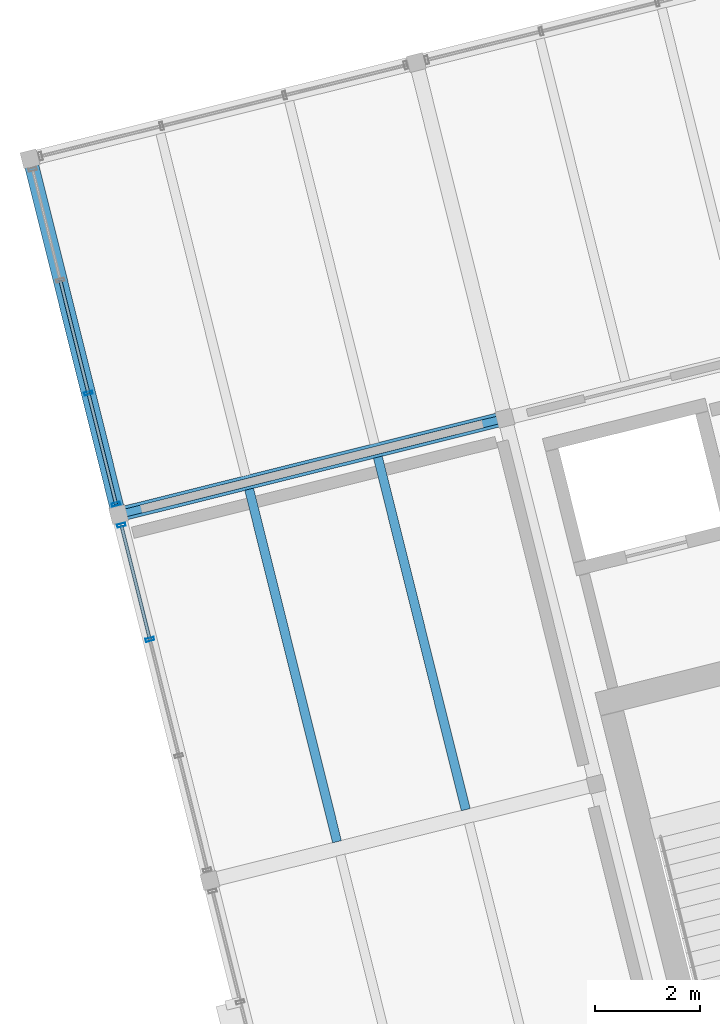
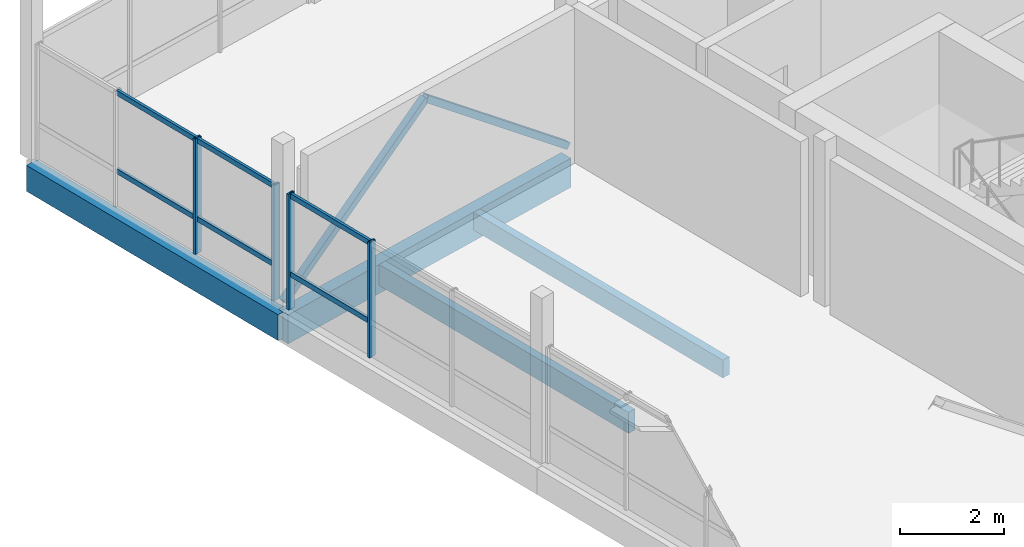
# One storey, part 9 of 24: 12 members, 4 beams, 2 elements without a shape of their own.
"""IFC4 building model written with IfcOpenShell, lengths in metres."""

from ifc_helpers import new_model, si_unit, direction, frame, origin, origin_2d, place, context, subcontext, project, spatial, rectangle, hollow_rectangle, extrude, material, layer, layer_set, material_profile, profile_set, type_object, element, aggregate, save


model = new_model("IFC4")

# Units and contexts
model_context = context("Model", 3, precision=1e-05, world=origin(), true_north=direction((0.0, 1.0)))
body_context = subcontext(model_context, "Body", "Model", "MODEL_VIEW")
ifc_project = project(units=[si_unit("LENGTHUNIT", "METRE"), si_unit("AREAUNIT", "SQUARE_METRE"), si_unit("VOLUMEUNIT", "CUBIC_METRE"), si_unit("PLANEANGLEUNIT", "RADIAN"), si_unit("MASSUNIT", "GRAM", prefix="KILO")], contexts=[model_context])

# Site, building, storey
site_placement = place(None, origin())
site = spatial("IfcSite", under=ifc_project, at=site_placement, CompositionType="ELEMENT")
building_placement = place(site_placement, origin())
building = spatial("IfcBuilding", under=site, at=building_placement, Name="Meriwether Solvik Hall", CompositionType="ELEMENT")
storey_placement = place(building_placement, frame((0.0, 0.0, 57.300048828125)))
storey = spatial("IfcBuildingStorey", under=building, at=storey_placement, Name="L14", CompositionType="ELEMENT", Elevation=57.300048828125)

# Beams
ifc_material_1 = material(Name="Glulam Douglas-Fir 24F-V8 GL28h", Category="wood")
ifc_material_profile_1 = material_profile(ifc_material_1, rectangle(XDim=0.27294921875, YDim=0.610107421875, at=origin_2d()), Name="GLB-273X610")
ifc_profile_set_1 = profile_set([ifc_material_profile_1], Name="Glulam Douglas-Fir 24F-V8 GL28h")
beam_type_1 = type_object("IfcBeamType", Name="BM-GL-273X610", PredefinedType="SPANDREL", material=ifc_profile_set_1)
beam_1_placement = place(storey_placement, frame((63.51953125, 61.576171875, -0.505126953125), z_axis=(-0.241911879182, 0.970298223594, 0.0), x_axis=(-0.970298223594, -0.241911879182, 0.0)))
element("IfcBeam", 1, at=beam_1_placement, inside=storey, type_object=beam_type_1, Name="Tower Girder T1:TD-TE (L14)", PredefinedType="SPANDREL", context=body_context, shape_type="SweptSolid", body=[
    extrude(rectangle(XDim=0.27294921875, YDim=0.610107421875, at=origin_2d()), origin(), (0.0, 0.0, 1.0), 7.0),
])
ifc_material_2 = material(Name="Glulam Douglas-Fir 24F-V8 GL28h", Category="wood")
ifc_material_profile_2 = material_profile(ifc_material_2, rectangle(XDim=0.27294921875, YDim=0.68505859375, at=origin_2d()), Name="GLB-273X685")
ifc_profile_set_2 = profile_set([ifc_material_profile_2], Name="Glulam Douglas-Fir 24F-V8 GL28h")
beam_type_2 = type_object("IfcBeamType", Name="BM-GL-273X685", PredefinedType="BEAM", material=ifc_profile_set_2)
beam_2_placement = place(storey_placement, frame((63.51953125, 61.576171875, -0.54248046875), z_axis=(0.970295366785, 0.241923337436, 0.0), x_axis=(-0.241923337436, 0.970295366785, 0.0)))
element("IfcBeam", 2, at=beam_2_placement, inside=storey, type_object=beam_type_2, Name="Tower Girder TD:T1-T2 (L14)", PredefinedType="BEAM", context=body_context, shape_type="SweptSolid", body=[
    extrude(rectangle(XDim=0.27294921875, YDim=0.68505859375, at=origin_2d()), origin(), (0.0, 0.0, 1.0), 7.60009765625),
])

# Curtain wall, members
ifc_material_3 = material(Name="Thermally Broken Anodised Aluminium 6063-T6 and Low-E Glass", Category="aluminium")
ifc_layer_1 = layer(ifc_material_3, 0.179931640625)
ifc_layer_set_1 = layer_set([ifc_layer_1], Name="Thermally Broken Anodised Aluminium 6063-T6 and Low-E Glass")
curtain_wall_type_1 = type_object("IfcCurtainWallType", Name="CW-UNIT-C", PredefinedType="USERDEFINED", material=ifc_layer_set_1)
curtain_wall_1_placement = place(storey_placement, origin())
curtain_wall_1 = element("IfcCurtainWall", 3, at=curtain_wall_1_placement, inside=storey, type_object=curtain_wall_type_1, Name="Curtain Wall E3_B2 (L14)", ObjectType="UNITISED CURTAIN WALL", PredefinedType="USERDEFINED")
ifc_material_4 = material(Name="Anodised Aluminium 6063-T6", Category="aluminium")
ifc_material_profile_3 = material_profile(ifc_material_4, hollow_rectangle(XDim=0.06005859375, YDim=0.159912109375, WallThickness=0.00390625, at=origin_2d()), Name="CWM-60X160")
ifc_profile_set_3 = profile_set([ifc_material_profile_3], Name="Anodised Aluminium 6063-T6")
member_type_1 = type_object("IfcMemberType", Name="CW-MUL-60X160", PredefinedType="MULLION", material=ifc_profile_set_3)
member_1_placement = place(storey_placement, frame((64.114013671875, 59.192626953125, 0.0), z_axis=(0.0, 0.0, 1.0), x_axis=(-0.241921877598, 0.970295730764, 0.0)))
member_1 = element("IfcMember", 4, at=member_1_placement, type_object=member_type_1, Name="Curtain Wall Mullion 3", PredefinedType="MULLION", context=body_context, shape_type="SweptSolid", body=[
    extrude(hollow_rectangle(XDim=0.06005859375, YDim=0.159912109375, WallThickness=0.00390625, at=origin_2d()), origin(), (0.0, 0.0, 1.0), 2.724853515625),
])
member_2_placement = place(storey_placement, frame((63.56982421875, 61.374755859375, 0.0), z_axis=(0.0, 0.0, 1.0), x_axis=(-0.241921877598, 0.970295730764, 0.0)))
member_2 = element("IfcMember", 5, at=member_2_placement, type_object=member_type_1, Name="Curtain Wall Mullion 4", PredefinedType="MULLION", context=body_context, shape_type="SweptSolid", body=[
    extrude(hollow_rectangle(XDim=0.06005859375, YDim=0.159912109375, WallThickness=0.00390625, at=origin_2d()), origin(), (0.0, 0.0, 1.0), 2.724853515625),
])

ifc_material_5 = material(Name="Thermally Broken Anodised Aluminium 6063-T6 and Low-E Glass", Category="aluminium")
ifc_layer_2 = layer(ifc_material_5, 0.179931640625)
ifc_layer_set_2 = layer_set([ifc_layer_2], Name="Thermally Broken Anodised Aluminium 6063-T6 and Low-E Glass")
curtain_wall_type_2 = type_object("IfcCurtainWallType", Name="CW-UNIT-D", PredefinedType="USERDEFINED", material=ifc_layer_set_2)
curtain_wall_2_placement = place(storey_placement, origin())
curtain_wall_2 = element("IfcCurtainWall", 6, at=curtain_wall_2_placement, inside=storey, type_object=curtain_wall_type_2, Name="Curtain Wall E3_B3 (L14)", ObjectType="UNITISED CURTAIN WALL", PredefinedType="USERDEFINED")
member_3_placement = place(storey_placement, frame((63.469482421875, 61.777587890625, 0.0), z_axis=(0.0, 0.0, 1.0), x_axis=(-0.241921784185, 0.970295754055, 0.0)))
member_3 = element("IfcMember", 7, at=member_3_placement, type_object=member_type_1, Name="Curtain Wall Mullion 1", PredefinedType="MULLION", context=body_context, shape_type="SweptSolid", body=[
    extrude(hollow_rectangle(XDim=0.06005859375, YDim=0.159912109375, WallThickness=0.00390625, at=origin_2d()), origin(), (0.0, 0.0, 1.0), 2.724853515625),
])
member_4_placement = place(storey_placement, frame((62.94140625, 63.89501953125, 0.0), z_axis=(0.0, 0.0, 1.0), x_axis=(-0.241921784185, 0.970295754055, 0.0)))
member_4 = element("IfcMember", 8, at=member_4_placement, type_object=member_type_1, Name="Curtain Wall Mullion 2", PredefinedType="MULLION", context=body_context, shape_type="SweptSolid", body=[
    extrude(hollow_rectangle(XDim=0.06005859375, YDim=0.159912109375, WallThickness=0.00390625, at=origin_2d()), origin(), (0.0, 0.0, 1.0), 2.724853515625),
])

# Member
ifc_material_6 = material(Name="Anodised Aluminium 6063-T6", Category="aluminium")
ifc_material_profile_4 = material_profile(ifc_material_6, hollow_rectangle(XDim=0.06005859375, YDim=0.1201171875, WallThickness=0.00390625, at=origin_2d()), Name="CWT-60X120")
ifc_profile_set_4 = profile_set([ifc_material_profile_4], Name="Anodised Aluminium 6063-T6")
member_type_2 = type_object("IfcMemberType", Name="CW-TRN-60X120", PredefinedType="USERDEFINED", material=ifc_profile_set_4)
member_5_placement = place(storey_placement, frame((64.114013671875, 59.192626953125, 0.8173828125), z_axis=(-0.241973642025, 0.970282822978, 0.0), x_axis=(-0.970282822978, -0.241973642025, 0.0)))
member_5 = element("IfcMember", 9, at=member_5_placement, type_object=member_type_2, Name="Curtain Wall Transom 3-sill", ObjectType="TRANSOM", PredefinedType="USERDEFINED", context=body_context, shape_type="SweptSolid", body=[
    extrude(hollow_rectangle(XDim=0.06005859375, YDim=0.1201171875, WallThickness=0.00390625, at=origin_2d()), origin(), (0.0, 0.0, 1.0), 2.2490234375),
])

member_6_placement = place(storey_placement, frame((64.114013671875, 59.192626953125, 2.6650390625), z_axis=(-0.241973642025, 0.970282822978, 0.0), x_axis=(-0.970282822978, -0.241973642025, 0.0)))
member_6 = element("IfcMember", 10, at=member_6_placement, type_object=member_type_2, Name="Curtain Wall Transom 3-head", ObjectType="TRANSOM", PredefinedType="USERDEFINED", context=body_context, shape_type="SweptSolid", body=[
    extrude(hollow_rectangle(XDim=0.06005859375, YDim=0.1201171875, WallThickness=0.00390625, at=origin_2d()), origin(), (0.0, 0.0, 1.0), 2.2490234375),
])

aggregate(curtain_wall_1, [member_1, member_2, member_5, member_6])

member_7_placement = place(storey_placement, frame((63.469482421875, 61.777587890625, 0.8173828125), z_axis=(-0.241982798004, 0.970280539571, 0.0), x_axis=(-0.970280539571, -0.241982798004, 0.0)))
member_7 = element("IfcMember", 11, at=member_7_placement, type_object=member_type_2, Name="Curtain Wall Transom 1-sill", ObjectType="TRANSOM", PredefinedType="USERDEFINED", context=body_context, shape_type="SweptSolid", body=[
    extrude(hollow_rectangle(XDim=0.06005859375, YDim=0.1201171875, WallThickness=0.00390625, at=origin_2d()), origin(), (0.0, 0.0, 1.0), 2.182373046875),
])

member_8_placement = place(storey_placement, frame((63.469482421875, 61.777587890625, 2.6650390625), z_axis=(-0.241982798004, 0.970280539571, 0.0), x_axis=(-0.970280539571, -0.241982798004, 0.0)))
member_8 = element("IfcMember", 12, at=member_8_placement, type_object=member_type_2, Name="Curtain Wall Transom 1-head", ObjectType="TRANSOM", PredefinedType="USERDEFINED", context=body_context, shape_type="SweptSolid", body=[
    extrude(hollow_rectangle(XDim=0.06005859375, YDim=0.1201171875, WallThickness=0.00390625, at=origin_2d()), origin(), (0.0, 0.0, 1.0), 2.182373046875),
])

member_9_placement = place(storey_placement, frame((62.94140625, 63.89501953125, 0.8173828125), z_axis=(-0.241888809617, 0.970303974939, 0.0), x_axis=(-0.970303974939, -0.241888809617, 0.0)))
member_9 = element("IfcMember", 13, at=member_9_placement, type_object=member_type_2, Name="Curtain Wall Transom 2-sill", ObjectType="TRANSOM", PredefinedType="USERDEFINED", context=body_context, shape_type="SweptSolid", body=[
    extrude(hollow_rectangle(XDim=0.06005859375, YDim=0.1201171875, WallThickness=0.00390625, at=origin_2d()), origin(), (0.0, 0.0, 1.0), 2.220458984375),
])

member_10_placement = place(storey_placement, frame((62.94140625, 63.89501953125, 2.6650390625), z_axis=(-0.241888809617, 0.970303974939, 0.0), x_axis=(-0.970303974939, -0.241888809617, 0.0)))
member_10 = element("IfcMember", 14, at=member_10_placement, type_object=member_type_2, Name="Curtain Wall Transom 2-head", ObjectType="TRANSOM", PredefinedType="USERDEFINED", context=body_context, shape_type="SweptSolid", body=[
    extrude(hollow_rectangle(XDim=0.06005859375, YDim=0.1201171875, WallThickness=0.00390625, at=origin_2d()), origin(), (0.0, 0.0, 1.0), 2.220458984375),
])

aggregate(curtain_wall_2, [member_3, member_4, member_7, member_8, member_9, member_10])

# Beams
ifc_material_7 = material(Name="Glulam Douglas-Fir 24F-V8 GL28h", Category="wood")
ifc_material_profile_5 = material_profile(ifc_material_7, rectangle(XDim=0.175048828125, YDim=0.419921875, at=origin_2d()), Name="GLJ-175X420")
ifc_profile_set_5 = profile_set([ifc_material_profile_5], Name="Glulam Douglas-Fir 24F-V8 GL28h")
beam_type_3 = type_object("IfcBeamType", Name="JST-GL-175X420", PredefinedType="JOIST", material=ifc_profile_set_5)
beam_3_placement = place(storey_placement, frame((70.145751953125, 55.943359375, -0.41015625), z_axis=(-0.241922788949, 0.970295503539, 0.0), x_axis=(-0.970295503539, -0.241922788949, 0.0)))
element("IfcBeam", 15, at=beam_3_placement, inside=storey, type_object=beam_type_3, Name="Glulam Floor Joist T1/TC-J2 (L14)", PredefinedType="JOIST", context=body_context, shape_type="SweptSolid", body=[
    extrude(rectangle(XDim=0.175048828125, YDim=0.419921875, at=origin_2d()), origin(), (0.0, 0.0, 1.0), 6.93701171875),
])
ifc_material_8 = material(Name="Glulam Douglas-Fir 24F-V8 GL28h", Category="wood")
ifc_material_profile_6 = material_profile(ifc_material_8, rectangle(XDim=0.175048828125, YDim=0.4951171875, at=origin_2d()), Name="GLJ-175X495")
ifc_profile_set_6 = profile_set([ifc_material_profile_6], Name="Glulam Douglas-Fir 24F-V8 GL28h")
beam_type_4 = type_object("IfcBeamType", Name="JST-GL-175X495", PredefinedType="JOIST", material=ifc_profile_set_6)
beam_4_placement = place(storey_placement, frame((67.687744140625, 55.33056640625, -0.447509765625), z_axis=(-0.241922788949, 0.970295503539, 0.0), x_axis=(-0.970295503539, -0.241922788949, 0.0)))
element("IfcBeam", 16, at=beam_4_placement, inside=storey, type_object=beam_type_4, Name="Glulam Floor Joist T1/TC-J1 (L14)", PredefinedType="JOIST", context=body_context, shape_type="SweptSolid", body=[
    extrude(rectangle(XDim=0.175048828125, YDim=0.4951171875, at=origin_2d()), origin(), (0.0, 0.0, 1.0), 6.93701171875),
])

# Members
ifc_material_9 = material(Name="Steel A500 Grade C", Category="steel")
ifc_material_profile_7 = material_profile(ifc_material_9, hollow_rectangle(XDim=0.152099609375, YDim=0.152099609375, WallThickness=0.009521484375, at=origin_2d()), Name="HSS152X152X9.5")
ifc_profile_set_7 = profile_set([ifc_material_profile_7], Name="Steel A500 Grade C")
member_type_3 = type_object("IfcMemberType", Name="MEM-BR-HSS152", PredefinedType="BRACE", material=ifc_profile_set_7)
member_11_placement = place(storey_placement, frame((63.51953125, 61.576171875, 0.050048828125), z_axis=(0.765482224358, 0.190876385945, 0.614494238769), x_axis=(-0.241946039438, 0.970289706222, 0.0)))
element("IfcMember", 17, at=member_11_placement, inside=storey, type_object=member_type_3, Name="Tower Chevron Brace L14-B2A", PredefinedType="BRACE", context=body_context, shape_type="SweptSolid", body=[
    extrude(hollow_rectangle(XDim=0.152099609375, YDim=0.152099609375, WallThickness=0.009521484375, at=origin_2d()), origin(), (0.0, 0.0, 1.0), 4.81689453125),
])
member_12_placement = place(storey_placement, frame((70.893798828125, 63.414794921875, 0.050048828125), z_axis=(-0.765468643117, -0.19083495175, 0.614524025238), x_axis=(0.241900633533, -0.970301027257, 0.0)))
element("IfcMember", 18, at=member_12_placement, inside=storey, type_object=member_type_3, Name="Tower Chevron Brace L14-B2B", PredefinedType="BRACE", context=body_context, shape_type="SweptSolid", body=[
    extrude(hollow_rectangle(XDim=0.152099609375, YDim=0.152099609375, WallThickness=0.009521484375, at=origin_2d()), origin(), (0.0, 0.0, 1.0), 4.816650390625),
])

save(model, "model.ifc")
